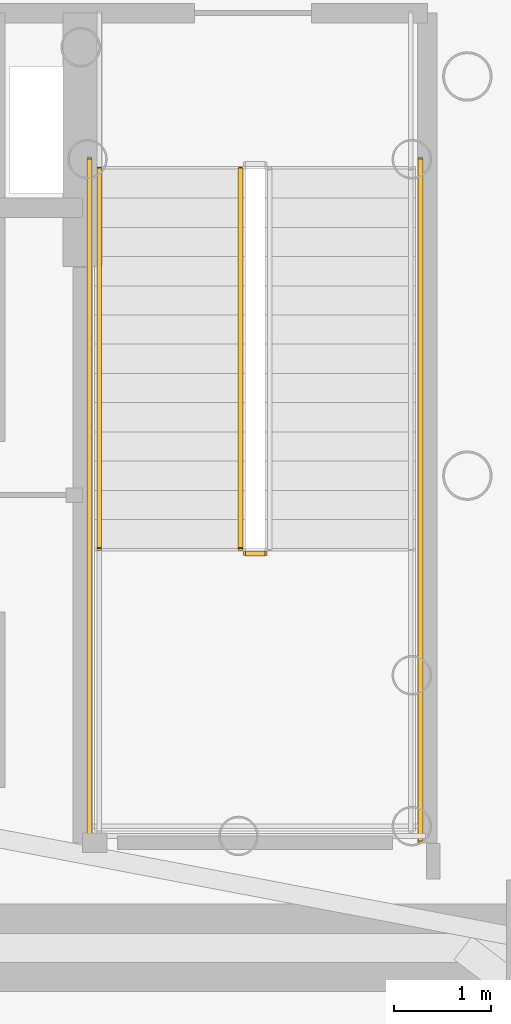
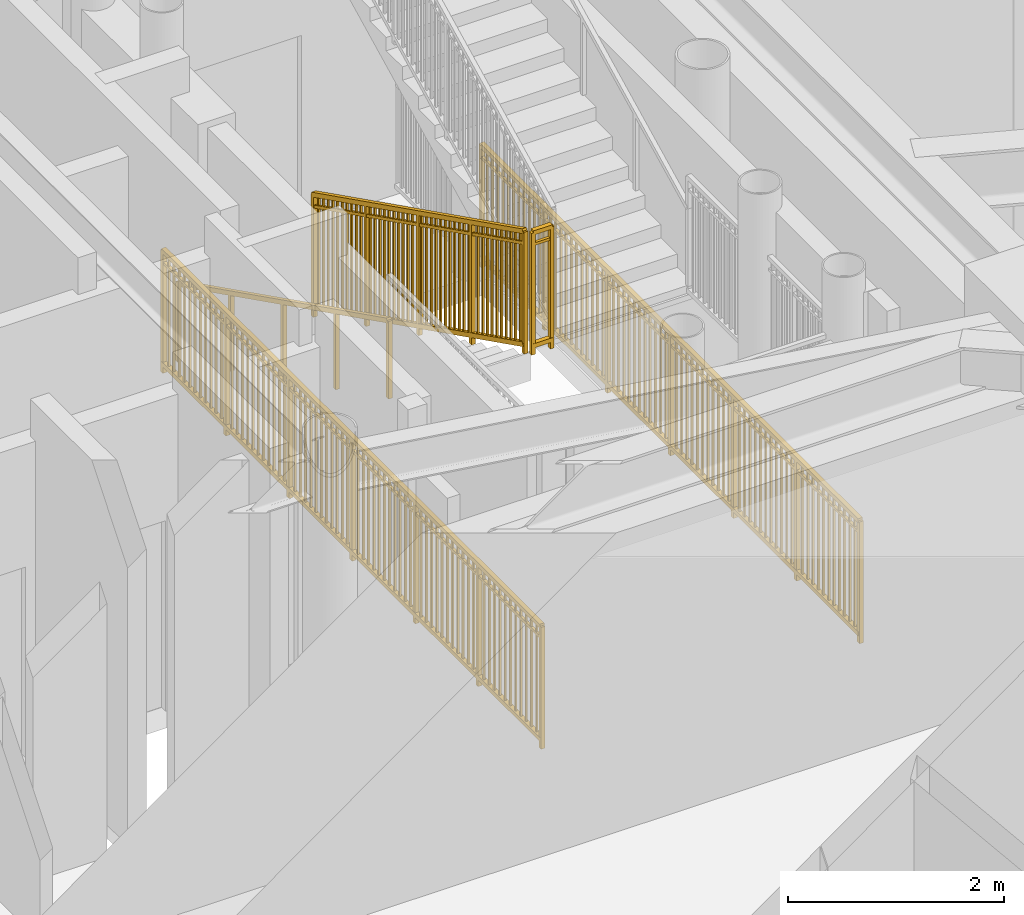
# One storey, part 19 of 21: 5 railings.
"""IFC4 building model written with IfcOpenShell, lengths in metres."""

import ifcopenshell
import ifcopenshell.guid

model = None  # the IFC model being written
_history = None  # IfcOwnerHistory: only IFC2X3 demands one
_inside = {}  # id of a spatial element -> (the spatial element, [elements in it])
_under = {}  # id of a project, library or spatial element -> (it, [spatial elements below it])
_declared = {}  # id of a project -> (the project, [libraries it declares])
_typed = {}  # id of a type object -> (the type object, [elements of that type])
_made_of = {}  # id of a material, layer set ... -> (it, [elements and type objects made of it])


def new_model(schema):
    """Start an empty IFC model of exactly this schema.

    Asked for "IFC4X3", IfcOpenShell would pick the latest addendum, in which some entities
    have other attributes; the version numbers below select the first issue.
    IFC2X3 requires an IfcOwnerHistory on every rooted entity: one is made here for all.
    """
    global model, _history
    if schema == "IFC4X3":
        model = ifcopenshell.file(schema_version=(4, 3, 0, 0))
    else:
        model = ifcopenshell.file(schema=schema)
    _inside.clear()
    _under.clear()
    _declared.clear()
    _typed.clear()
    _made_of.clear()
    _history = None
    if model.schema == "IFC2X3":
        org = make("IfcOrganization", Name="unknown")
        user = make(
            "IfcPersonAndOrganization",
            ThePerson=make("IfcPerson", FamilyName="unknown"),
            TheOrganization=org,
        )
        app = make(
            "IfcApplication",
            ApplicationDeveloper=org,
            Version="unknown",
            ApplicationFullName="unknown",
            ApplicationIdentifier="unknown",
        )
        _history = make(
            "IfcOwnerHistory",
            OwningUser=user,
            OwningApplication=app,
            ChangeAction="ADDED",
            CreationDate=0,
        )
    return model


def make(cls, **values):
    """One entity of the class cls with the attributes given. An attribute that is None is left unset."""
    return model.create_entity(
        cls, **{name: value for name, value in values.items() if value is not None}
    )


def rooted(cls, **values):
    """An entity with a GlobalId (a new one), such as an element, a storey or a relation."""
    return make(cls, GlobalId=ifcopenshell.guid.new(), OwnerHistory=_history, **values)


def si_unit(unit_type, name, prefix=None):
    """IfcSIUnit, for example si_unit("LENGTHUNIT", "METRE", prefix="MILLI")."""
    return make("IfcSIUnit", UnitType=unit_type, Prefix=prefix, Name=name)


def assignment(units):
    """IfcUnitAssignment: the units of a project."""
    return None if units is None else make("IfcUnitAssignment", Units=units)


def point(xyz):
    """IfcCartesianPoint."""
    return None if xyz is None else make("IfcCartesianPoint", Coordinates=xyz)


def direction(xyz):
    """IfcDirection."""
    return None if xyz is None else make("IfcDirection", DirectionRatios=xyz)


def frame(location, z_axis=None, x_axis=None):
    """IfcAxis2Placement3D, a coordinate frame: its origin and axes. An axis left out is left unset."""
    return make(
        "IfcAxis2Placement3D",
        Location=point(location),
        Axis=direction(z_axis),
        RefDirection=direction(x_axis),
    )


def frame_2d(location, x_axis=None):
    """IfcAxis2Placement2D, a coordinate frame in the plane: its origin and x axis."""
    return make(
        "IfcAxis2Placement2D", Location=point(location), RefDirection=direction(x_axis)
    )


def origin():
    """The frame at (0, 0, 0) with its axes left unset."""
    return frame((0.0, 0.0, 0.0))


def origin_2d():
    """The frame at (0, 0) in the plane with its x axis left unset."""
    return frame_2d((0.0, 0.0))


def place(relative_to, where):
    """IfcLocalPlacement: puts the frame where relative to a parent placement (None: the world)."""
    return make(
        "IfcLocalPlacement", PlacementRelTo=relative_to, RelativePlacement=where
    )


def context(
    kind, dimensions, precision=None, world=None, true_north=None, identifier=None
):
    """IfcGeometricRepresentationContext, for example the 3D "Model" context."""
    return make(
        "IfcGeometricRepresentationContext",
        ContextIdentifier=identifier,
        ContextType=kind,
        CoordinateSpaceDimension=dimensions,
        Precision=precision,
        WorldCoordinateSystem=world,
        TrueNorth=true_north,
    )


def subcontext(parent, identifier, kind, view, scale=None):
    """IfcGeometricRepresentationSubContext, for example "Body" below "Model"."""
    return make(
        "IfcGeometricRepresentationSubContext",
        ContextIdentifier=identifier,
        ContextType=kind,
        ParentContext=parent,
        TargetScale=scale,
        TargetView=view,
    )


def project(units=None, contexts=None):
    """IfcProject with its units and contexts."""
    return rooted(
        "IfcProject",
        Name="project",
        RepresentationContexts=contexts,
        UnitsInContext=assignment(units),
    )


def spatial(cls, under=None, at=None, **own):
    """A site, building, storey or space (cls), placed at a placement, below another one or the project."""
    s = rooted(cls, ObjectPlacement=at, **own)
    if under is not None:
        _under.setdefault(under.id(), (under, []))[1].append(s)
    return s


def profile(cls, at=None, kind="AREA", **sizes):
    """A parametric profile (cls). Its sizes go by their IFC names, for example OverallWidth=200.0."""
    return make(cls, ProfileType=kind, Position=at, **sizes)


def rectangle(**sizes):
    """IfcRectangleProfileDef."""
    return profile("IfcRectangleProfileDef", **sizes)


def extrude(swept, where, along, depth):
    """IfcExtrudedAreaSolid: the profile swept, set in the frame where, extruded along a direction by depth."""
    return make(
        "IfcExtrudedAreaSolid",
        SweptArea=swept,
        Position=where,
        ExtrudedDirection=direction(along),
        Depth=depth,
    )


def shape(context_of_items, identifier, shape_type, items):
    """IfcShapeRepresentation: the items that make up one representation, for example the "Body"."""
    return make(
        "IfcShapeRepresentation",
        ContextOfItems=context_of_items,
        RepresentationIdentifier=identifier,
        RepresentationType=shape_type,
        Items=items,
    )


def source(mapping_origin, context_of_items, identifier, shape_type, items):
    """IfcRepresentationMap: a shape defined once, which mapped items show again and again."""
    return make(
        "IfcRepresentationMap",
        MappingOrigin=mapping_origin,
        MappedRepresentation=shape(context_of_items, identifier, shape_type, items),
    )


def transform(
    local_origin,
    x_axis=None,
    y_axis=None,
    z_axis=None,
    scale=None,
    scale2=None,
    scale3=None,
    uniform=True,
):
    """IfcCartesianTransformationOperator3D, or its non-uniform kind. x_axis, y_axis, z_axis: its Axis1, 2, 3."""
    if uniform:
        return make(
            "IfcCartesianTransformationOperator3D",
            Axis1=direction(x_axis),
            Axis2=direction(y_axis),
            LocalOrigin=point(local_origin),
            Scale=scale,
            Axis3=direction(z_axis),
        )
    return make(
        "IfcCartesianTransformationOperator3DnonUniform",
        Axis1=direction(x_axis),
        Axis2=direction(y_axis),
        LocalOrigin=point(local_origin),
        Scale=scale,
        Axis3=direction(z_axis),
        Scale2=scale2,
        Scale3=scale3,
    )


def mapped(mapping_source, mapping_target):
    """IfcMappedItem: shows the shape of a source again, moved by a transform."""
    return make(
        "IfcMappedItem", MappingSource=mapping_source, MappingTarget=mapping_target
    )


def material(Name=None, Category=None):
    """IfcMaterial."""
    return make("IfcMaterial", Name=Name, Category=Category)


def made_of(thing, what):
    """Note that an element or type object is made of a material, layer set ...; save() writes the relation."""
    if what is not None:
        _made_of.setdefault(what.id(), (what, []))[1].append(thing)
    return thing


def type_object(cls, material=None, **own):
    """A type object (cls), such as IfcWallType, which elements share."""
    return made_of(rooted(cls, **own), material)


def element(
    cls,
    number,
    at=None,
    inside=None,
    cuts=None,
    type_object=None,
    material=None,
    context=None,
    identifier="Body",
    shape_type=None,
    held_by="IfcProductDefinitionShape",
    body=None,
    shapes=None,
    **own,
):
    """One element of the class cls, such as IfcWall. Its Tag is "e" and its number.

    at: its placement. inside: the storey or other place that contains it. cuts: it is an
    opening in that element (IfcRelVoidsElement). A single representation is given by context,
    identifier, shape_type and body (its items); several are given by shapes. held_by: the class
    of the entity that holds the representations. save() writes the other relations.
    """
    e = rooted(cls, Tag="e%d" % number, ObjectPlacement=at, **own)
    if body is not None:
        shapes = [shape(context, identifier, shape_type, body)]
    if shapes is not None:
        e.Representation = make(held_by, Representations=shapes)
    if inside is not None:
        _inside.setdefault(inside.id(), (inside, []))[1].append(e)
    if cuts is not None:
        rooted(
            "IfcRelVoidsElement", RelatingBuildingElement=cuts, RelatedOpeningElement=e
        )
    if type_object is not None:
        _typed.setdefault(type_object.id(), (type_object, []))[1].append(e)
    return made_of(e, material)


def aggregate(whole, parts):
    """IfcRelAggregates: a whole, such as a stair, and the parts it consists of."""
    return rooted("IfcRelAggregates", RelatingObject=whole, RelatedObjects=parts)


def save(model, path):
    """Write the relations noted so far, then the file.

    IfcRelAggregates (storeys below a building ...), IfcRelContainedInSpatialStructure (elements
    in a storey), IfcRelDefinesByType, IfcRelAssociatesMaterial and IfcRelDeclares: one each for
    every whole, place, type object, material and project.
    """
    for whole, parts in _under.values():
        aggregate(whole, parts)
    for where, things in _inside.values():
        rooted(
            "IfcRelContainedInSpatialStructure",
            RelatedElements=things,
            RelatingStructure=where,
        )
    for kind, things in _typed.values():
        rooted("IfcRelDefinesByType", RelatedObjects=things, RelatingType=kind)
    for what, things in _made_of.values():
        rooted("IfcRelAssociatesMaterial", RelatedObjects=things, RelatingMaterial=what)
    for by, libraries in _declared.values():
        rooted("IfcRelDeclares", RelatingContext=by, RelatedDefinitions=libraries)
    model.write(path)


model = new_model("IFC4")

# Units and contexts
model_context = context("Model", 3, precision=1e-05, world=origin(), true_north=direction((0.0, 1.0)))
body_context = subcontext(model_context, "Body", "Model", "MODEL_VIEW")
ifc_project = project(units=[si_unit("LENGTHUNIT", "METRE"), si_unit("AREAUNIT", "SQUARE_METRE"), si_unit("VOLUMEUNIT", "CUBIC_METRE"), si_unit("PLANEANGLEUNIT", "RADIAN"), si_unit("MASSUNIT", "GRAM", prefix="KILO")], contexts=[model_context])

# Site, building, storey
site_placement = place(None, origin())
site = spatial("IfcSite", under=ifc_project, at=site_placement, CompositionType="ELEMENT")
building_placement = place(site_placement, origin())
building = spatial("IfcBuilding", under=site, at=building_placement, Name="Linh Dai School and Residence Tower", CompositionType="ELEMENT")
storey_placement = place(building_placement, frame((0.0, 0.0, 78.60009765625)))
storey = spatial("IfcBuildingStorey", under=building, at=storey_placement, Name="L18", CompositionType="ELEMENT", Elevation=78.60009765625)

# Railings
ifc_material_1 = material(Name="Structural Steel S355JR", Category="steel")
railing_type_1 = type_object("IfcRailingType", Name="RL-ST-GUARD-1400", PredefinedType="GUARDRAIL", material=ifc_material_1)
shared_shape_1 = source(origin(), body_context, "Body", "SweptSolid", [
    extrude(rectangle(XDim=0.048095703125, YDim=0.048095703125, at=origin_2d()), frame((0.0, 0.0, 1.3759765625), z_axis=(1.0, 0.0, 0.0), x_axis=(0.0, 1.0, 0.0)), (0.0, 0.0, 1.0), 0.199951171875),
    extrude(rectangle(XDim=0.048095703125, YDim=0.048095703125, at=origin_2d()), frame((0.0, 0.0, 0.10009765625), z_axis=(1.0, 0.0, 0.0), x_axis=(0.0, 1.0, 0.0)), (0.0, 0.0, 1.0), 0.199951171875),
    extrude(rectangle(XDim=0.030029296875, YDim=0.030029296875, at=origin_2d()), frame((0.0, 0.0, 1.239990234375), z_axis=(1.0, 0.0, 0.0), x_axis=(0.0, 1.0, 0.0)), (0.0, 0.0, 1.0), 0.199951171875),
    extrude(rectangle(XDim=0.0419921875, YDim=0.0419921875, at=origin_2d()), origin(), (0.0, 0.0, 1.0), 1.3759765625),
    extrude(rectangle(XDim=0.0419921875, YDim=0.0419921875, at=origin_2d()), frame((0.199951171875, 0.0, 0.0)), (0.0, 0.0, 1.0), 1.3759765625),
])
railing_1_placement = place(storey_placement, frame((42.570068359375, 24.300048828125, 2.099853515625)))
element("IfcRailing", 1, at=railing_1_placement, inside=storey, type_object=railing_type_1, Name="L18 ST2 stair guard 2", PredefinedType="GUARDRAIL", context=body_context, shape_type="MappedRepresentation", body=[
    mapped(shared_shape_1, transform((0.0, 0.0, 0.0), x_axis=(1.0, 0.0, 0.0), y_axis=(0.0, 1.0, 0.0), z_axis=(0.0, 0.0, 1.0), scale=1.0)),
])
shared_shape_2 = source(origin(), body_context, "Body", "SweptSolid", [
    extrude(rectangle(XDim=0.048095703125, YDim=0.048095703125, at=origin_2d()), frame((0.0, 0.0, 1.3759765625), z_axis=(0.0, -1.0, 0.0), x_axis=(1.0, 0.0, 0.0)), (0.0, 0.0, 1.0), 7.0),
    extrude(rectangle(XDim=0.048095703125, YDim=0.048095703125, at=origin_2d()), frame((0.0, 0.0, 0.10009765625), z_axis=(0.0, -1.0, 0.0), x_axis=(1.0, 0.0, 0.0)), (0.0, 0.0, 1.0), 7.0),
    extrude(rectangle(XDim=0.030029296875, YDim=0.030029296875, at=origin_2d()), frame((0.0, 0.0, 1.239990234375), z_axis=(0.0, -1.0, 0.0), x_axis=(1.0, 0.0, 0.0)), (0.0, 0.0, 1.0), 7.0),
    extrude(rectangle(XDim=0.02001953125, YDim=0.02001953125, at=origin_2d()), frame((0.0, -0.09716796875, 0.10009765625)), (0.0, 0.0, 1.0), 1.251708984375),
    extrude(rectangle(XDim=0.02001953125, YDim=0.02001953125, at=origin_2d()), frame((0.0, -0.1943359375, 0.10009765625)), (0.0, 0.0, 1.0), 1.251708984375),
    extrude(rectangle(XDim=0.02001953125, YDim=0.02001953125, at=origin_2d()), frame((0.0, -0.291748046875, 0.10009765625)), (0.0, 0.0, 1.0), 1.251708984375),
    extrude(rectangle(XDim=0.02001953125, YDim=0.02001953125, at=origin_2d()), frame((0.0, -0.388916015625, 0.10009765625)), (0.0, 0.0, 1.0), 1.251708984375),
    extrude(rectangle(XDim=0.02001953125, YDim=0.02001953125, at=origin_2d()), frame((0.0, -0.486083984375, 0.10009765625)), (0.0, 0.0, 1.0), 1.251708984375),
    extrude(rectangle(XDim=0.02001953125, YDim=0.02001953125, at=origin_2d()), frame((0.0, -0.583251953125, 0.10009765625)), (0.0, 0.0, 1.0), 1.251708984375),
    extrude(rectangle(XDim=0.02001953125, YDim=0.02001953125, at=origin_2d()), frame((0.0, -0.6806640625, 0.10009765625)), (0.0, 0.0, 1.0), 1.251708984375),
    extrude(rectangle(XDim=0.02001953125, YDim=0.02001953125, at=origin_2d()), frame((0.0, -0.77783203125, 0.10009765625)), (0.0, 0.0, 1.0), 1.251708984375),
    extrude(rectangle(XDim=0.02001953125, YDim=0.02001953125, at=origin_2d()), frame((0.0, -0.875, 0.10009765625)), (0.0, 0.0, 1.0), 1.251708984375),
    extrude(rectangle(XDim=0.02001953125, YDim=0.02001953125, at=origin_2d()), frame((0.0, -0.97216796875, 0.10009765625)), (0.0, 0.0, 1.0), 1.251708984375),
    extrude(rectangle(XDim=0.02001953125, YDim=0.02001953125, at=origin_2d()), frame((0.0, -1.0693359375, 0.10009765625)), (0.0, 0.0, 1.0), 1.251708984375),
    extrude(rectangle(XDim=0.02001953125, YDim=0.02001953125, at=origin_2d()), frame((0.0, -1.263916015625, 0.10009765625)), (0.0, 0.0, 1.0), 1.251708984375),
    extrude(rectangle(XDim=0.02001953125, YDim=0.02001953125, at=origin_2d()), frame((0.0, -1.361083984375, 0.10009765625)), (0.0, 0.0, 1.0), 1.251708984375),
    extrude(rectangle(XDim=0.02001953125, YDim=0.02001953125, at=origin_2d()), frame((0.0, -1.458251953125, 0.10009765625)), (0.0, 0.0, 1.0), 1.251708984375),
    extrude(rectangle(XDim=0.02001953125, YDim=0.02001953125, at=origin_2d()), frame((0.0, -1.5556640625, 0.10009765625)), (0.0, 0.0, 1.0), 1.251708984375),
    extrude(rectangle(XDim=0.02001953125, YDim=0.02001953125, at=origin_2d()), frame((0.0, -1.65283203125, 0.10009765625)), (0.0, 0.0, 1.0), 1.251708984375),
    extrude(rectangle(XDim=0.02001953125, YDim=0.02001953125, at=origin_2d()), frame((0.0, -1.75, 0.10009765625)), (0.0, 0.0, 1.0), 1.251708984375),
    extrude(rectangle(XDim=0.02001953125, YDim=0.02001953125, at=origin_2d()), frame((0.0, -1.84716796875, 0.10009765625)), (0.0, 0.0, 1.0), 1.251708984375),
    extrude(rectangle(XDim=0.02001953125, YDim=0.02001953125, at=origin_2d()), frame((0.0, -1.9443359375, 0.10009765625)), (0.0, 0.0, 1.0), 1.251708984375),
    extrude(rectangle(XDim=0.02001953125, YDim=0.02001953125, at=origin_2d()), frame((0.0, -2.041748046875, 0.10009765625)), (0.0, 0.0, 1.0), 1.251708984375),
    extrude(rectangle(XDim=0.02001953125, YDim=0.02001953125, at=origin_2d()), frame((0.0, -2.138916015625, 0.10009765625)), (0.0, 0.0, 1.0), 1.251708984375),
    extrude(rectangle(XDim=0.02001953125, YDim=0.02001953125, at=origin_2d()), frame((0.0, -2.236083984375, 0.10009765625)), (0.0, 0.0, 1.0), 1.251708984375),
    extrude(rectangle(XDim=0.02001953125, YDim=0.02001953125, at=origin_2d()), frame((0.0, -2.4306640625, 0.10009765625)), (0.0, 0.0, 1.0), 1.251708984375),
    extrude(rectangle(XDim=0.02001953125, YDim=0.02001953125, at=origin_2d()), frame((0.0, -2.52783203125, 0.10009765625)), (0.0, 0.0, 1.0), 1.251708984375),
    extrude(rectangle(XDim=0.02001953125, YDim=0.02001953125, at=origin_2d()), frame((0.0, -2.625, 0.10009765625)), (0.0, 0.0, 1.0), 1.251708984375),
    extrude(rectangle(XDim=0.02001953125, YDim=0.02001953125, at=origin_2d()), frame((0.0, -2.72216796875, 0.10009765625)), (0.0, 0.0, 1.0), 1.251708984375),
    extrude(rectangle(XDim=0.02001953125, YDim=0.02001953125, at=origin_2d()), frame((0.0, -2.8193359375, 0.10009765625)), (0.0, 0.0, 1.0), 1.251708984375),
    extrude(rectangle(XDim=0.02001953125, YDim=0.02001953125, at=origin_2d()), frame((0.0, -2.916748046875, 0.10009765625)), (0.0, 0.0, 1.0), 1.251708984375),
    extrude(rectangle(XDim=0.02001953125, YDim=0.02001953125, at=origin_2d()), frame((0.0, -3.013916015625, 0.10009765625)), (0.0, 0.0, 1.0), 1.251708984375),
    extrude(rectangle(XDim=0.02001953125, YDim=0.02001953125, at=origin_2d()), frame((0.0, -3.111083984375, 0.10009765625)), (0.0, 0.0, 1.0), 1.251708984375),
    extrude(rectangle(XDim=0.02001953125, YDim=0.02001953125, at=origin_2d()), frame((0.0, -3.208251953125, 0.10009765625)), (0.0, 0.0, 1.0), 1.251708984375),
    extrude(rectangle(XDim=0.02001953125, YDim=0.02001953125, at=origin_2d()), frame((0.0, -3.3056640625, 0.10009765625)), (0.0, 0.0, 1.0), 1.251708984375),
    extrude(rectangle(XDim=0.02001953125, YDim=0.02001953125, at=origin_2d()), frame((0.0, -3.40283203125, 0.10009765625)), (0.0, 0.0, 1.0), 1.251708984375),
    extrude(rectangle(XDim=0.02001953125, YDim=0.02001953125, at=origin_2d()), frame((0.0, -3.59716796875, 0.10009765625)), (0.0, 0.0, 1.0), 1.251708984375),
    extrude(rectangle(XDim=0.02001953125, YDim=0.02001953125, at=origin_2d()), frame((0.0, -3.6943359375, 0.10009765625)), (0.0, 0.0, 1.0), 1.251708984375),
    extrude(rectangle(XDim=0.02001953125, YDim=0.02001953125, at=origin_2d()), frame((0.0, -3.791748046875, 0.10009765625)), (0.0, 0.0, 1.0), 1.251708984375),
    extrude(rectangle(XDim=0.02001953125, YDim=0.02001953125, at=origin_2d()), frame((0.0, -3.888916015625, 0.10009765625)), (0.0, 0.0, 1.0), 1.251708984375),
    extrude(rectangle(XDim=0.02001953125, YDim=0.02001953125, at=origin_2d()), frame((0.0, -3.986083984375, 0.10009765625)), (0.0, 0.0, 1.0), 1.251708984375),
    extrude(rectangle(XDim=0.02001953125, YDim=0.02001953125, at=origin_2d()), frame((0.0, -4.083251953125, 0.10009765625)), (0.0, 0.0, 1.0), 1.251708984375),
    extrude(rectangle(XDim=0.02001953125, YDim=0.02001953125, at=origin_2d()), frame((0.0, -4.1806640625, 0.10009765625)), (0.0, 0.0, 1.0), 1.251708984375),
    extrude(rectangle(XDim=0.02001953125, YDim=0.02001953125, at=origin_2d()), frame((0.0, -4.27783203125, 0.10009765625)), (0.0, 0.0, 1.0), 1.251708984375),
    extrude(rectangle(XDim=0.02001953125, YDim=0.02001953125, at=origin_2d()), frame((0.0, -4.375, 0.10009765625)), (0.0, 0.0, 1.0), 1.251708984375),
    extrude(rectangle(XDim=0.02001953125, YDim=0.02001953125, at=origin_2d()), frame((0.0, -4.47216796875, 0.10009765625)), (0.0, 0.0, 1.0), 1.251708984375),
    extrude(rectangle(XDim=0.02001953125, YDim=0.02001953125, at=origin_2d()), frame((0.0, -4.5693359375, 0.10009765625)), (0.0, 0.0, 1.0), 1.251708984375),
    extrude(rectangle(XDim=0.02001953125, YDim=0.02001953125, at=origin_2d()), frame((0.0, -4.763916015625, 0.10009765625)), (0.0, 0.0, 1.0), 1.251708984375),
    extrude(rectangle(XDim=0.02001953125, YDim=0.02001953125, at=origin_2d()), frame((0.0, -4.861083984375, 0.10009765625)), (0.0, 0.0, 1.0), 1.251708984375),
    extrude(rectangle(XDim=0.02001953125, YDim=0.02001953125, at=origin_2d()), frame((0.0, -4.958251953125, 0.10009765625)), (0.0, 0.0, 1.0), 1.251708984375),
    extrude(rectangle(XDim=0.02001953125, YDim=0.02001953125, at=origin_2d()), frame((0.0, -5.0556640625, 0.10009765625)), (0.0, 0.0, 1.0), 1.251708984375),
    extrude(rectangle(XDim=0.02001953125, YDim=0.02001953125, at=origin_2d()), frame((0.0, -5.15283203125, 0.10009765625)), (0.0, 0.0, 1.0), 1.251708984375),
    extrude(rectangle(XDim=0.02001953125, YDim=0.02001953125, at=origin_2d()), frame((0.0, -5.25, 0.10009765625)), (0.0, 0.0, 1.0), 1.251708984375),
    extrude(rectangle(XDim=0.02001953125, YDim=0.02001953125, at=origin_2d()), frame((0.0, -5.34716796875, 0.10009765625)), (0.0, 0.0, 1.0), 1.251708984375),
    extrude(rectangle(XDim=0.02001953125, YDim=0.02001953125, at=origin_2d()), frame((0.0, -5.4443359375, 0.10009765625)), (0.0, 0.0, 1.0), 1.251708984375),
    extrude(rectangle(XDim=0.02001953125, YDim=0.02001953125, at=origin_2d()), frame((0.0, -5.541748046875, 0.10009765625)), (0.0, 0.0, 1.0), 1.251708984375),
    extrude(rectangle(XDim=0.02001953125, YDim=0.02001953125, at=origin_2d()), frame((0.0, -5.638916015625, 0.10009765625)), (0.0, 0.0, 1.0), 1.251708984375),
    extrude(rectangle(XDim=0.02001953125, YDim=0.02001953125, at=origin_2d()), frame((0.0, -5.736083984375, 0.10009765625)), (0.0, 0.0, 1.0), 1.251708984375),
    extrude(rectangle(XDim=0.02001953125, YDim=0.02001953125, at=origin_2d()), frame((0.0, -5.9306640625, 0.10009765625)), (0.0, 0.0, 1.0), 1.251708984375),
    extrude(rectangle(XDim=0.02001953125, YDim=0.02001953125, at=origin_2d()), frame((0.0, -6.02783203125, 0.10009765625)), (0.0, 0.0, 1.0), 1.251708984375),
    extrude(rectangle(XDim=0.02001953125, YDim=0.02001953125, at=origin_2d()), frame((0.0, -6.125, 0.10009765625)), (0.0, 0.0, 1.0), 1.251708984375),
    extrude(rectangle(XDim=0.02001953125, YDim=0.02001953125, at=origin_2d()), frame((0.0, -6.22216796875, 0.10009765625)), (0.0, 0.0, 1.0), 1.251708984375),
    extrude(rectangle(XDim=0.02001953125, YDim=0.02001953125, at=origin_2d()), frame((0.0, -6.3193359375, 0.10009765625)), (0.0, 0.0, 1.0), 1.251708984375),
    extrude(rectangle(XDim=0.02001953125, YDim=0.02001953125, at=origin_2d()), frame((0.0, -6.416748046875, 0.10009765625)), (0.0, 0.0, 1.0), 1.251708984375),
    extrude(rectangle(XDim=0.02001953125, YDim=0.02001953125, at=origin_2d()), frame((0.0, -6.513916015625, 0.10009765625)), (0.0, 0.0, 1.0), 1.251708984375),
    extrude(rectangle(XDim=0.02001953125, YDim=0.02001953125, at=origin_2d()), frame((0.0, -6.611083984375, 0.10009765625)), (0.0, 0.0, 1.0), 1.251708984375),
    extrude(rectangle(XDim=0.02001953125, YDim=0.02001953125, at=origin_2d()), frame((0.0, -6.708251953125, 0.10009765625)), (0.0, 0.0, 1.0), 1.251708984375),
    extrude(rectangle(XDim=0.02001953125, YDim=0.02001953125, at=origin_2d()), frame((0.0, -6.8056640625, 0.10009765625)), (0.0, 0.0, 1.0), 1.251708984375),
    extrude(rectangle(XDim=0.02001953125, YDim=0.02001953125, at=origin_2d()), frame((0.0, -6.90283203125, 0.10009765625)), (0.0, 0.0, 1.0), 1.251708984375),
    extrude(rectangle(XDim=0.0419921875, YDim=0.0419921875, at=origin_2d()), origin(), (0.0, 0.0, 1.0), 1.3759765625),
    extrude(rectangle(XDim=0.0419921875, YDim=0.0419921875, at=origin_2d()), frame((0.0, -1.166748046875, 0.0)), (0.0, 0.0, 1.0), 1.3759765625),
    extrude(rectangle(XDim=0.0419921875, YDim=0.0419921875, at=origin_2d()), frame((0.0, -2.333251953125, 0.0)), (0.0, 0.0, 1.0), 1.3759765625),
    extrude(rectangle(XDim=0.0419921875, YDim=0.0419921875, at=origin_2d()), frame((0.0, -3.5, 0.0)), (0.0, 0.0, 1.0), 1.3759765625),
    extrude(rectangle(XDim=0.0419921875, YDim=0.0419921875, at=origin_2d()), frame((0.0, -4.666748046875, 0.0)), (0.0, 0.0, 1.0), 1.3759765625),
    extrude(rectangle(XDim=0.0419921875, YDim=0.0419921875, at=origin_2d()), frame((0.0, -5.833251953125, 0.0)), (0.0, 0.0, 1.0), 1.3759765625),
    extrude(rectangle(XDim=0.0419921875, YDim=0.0419921875, at=origin_2d()), frame((0.0, -7.0, 0.0)), (0.0, 0.0, 1.0), 1.3759765625),
])
for number, where, name in (
    (2, (40.969970703125, 28.35009765625, 0.0), "L18 ST2 stair guard 10"),
    (3, (44.3701171875, 28.35009765625, 0.0), "L18 ST2 stair guard 11"),
):
    element("IfcRailing", number, at=place(storey_placement, frame(where)), inside=storey, type_object=railing_type_1, Name=name, PredefinedType="GUARDRAIL", context=body_context, shape_type="MappedRepresentation", body=[
        mapped(shared_shape_2, transform((0.0, 0.0, 0.0), x_axis=(1.0, 0.0, 0.0), y_axis=(0.0, 1.0, 0.0), z_axis=(0.0, 0.0, 1.0), scale=1.0)),
    ])
shared_shape_3 = source(origin(), body_context, "Body", "SweptSolid", [
    extrude(rectangle(XDim=0.048095703125, YDim=0.048095703125, at=origin_2d()), frame((0.0, 0.0, 1.3759765625), z_axis=(0.0, -0.894427191, 0.4472135955), x_axis=(1.0, 0.0, 0.0)), (0.0, 0.0, 1.0), 4.360107421875),
    extrude(rectangle(XDim=0.048095703125, YDim=0.048095703125, at=origin_2d()), frame((0.0, 0.0, 0.10009765625), z_axis=(0.0, -0.894427191, 0.4472135955), x_axis=(1.0, 0.0, 0.0)), (0.0, 0.0, 1.0), 4.360107421875),
    extrude(rectangle(XDim=0.030029296875, YDim=0.030029296875, at=origin_2d()), frame((0.0, 0.0, 1.239990234375), z_axis=(0.0, -0.894427191, 0.4472135955), x_axis=(1.0, 0.0, 0.0)), (0.0, 0.0, 1.0), 4.360107421875),
    extrude(rectangle(XDim=0.02001953125, YDim=0.02001953125, at=origin_2d()), frame((0.0, -0.086669921875, 0.143310546875)), (0.0, 0.0, 1.0), 1.251708984375),
    extrude(rectangle(XDim=0.02001953125, YDim=0.02001953125, at=origin_2d()), frame((0.0, -0.17333984375, 0.186767578125)), (0.0, 0.0, 1.0), 1.251708984375),
    extrude(rectangle(XDim=0.02001953125, YDim=0.02001953125, at=origin_2d()), frame((0.0, -0.260009765625, 0.22998046875)), (0.0, 0.0, 1.0), 1.251708984375),
    extrude(rectangle(XDim=0.02001953125, YDim=0.02001953125, at=origin_2d()), frame((0.0, -0.3466796875, 0.2734375)), (0.0, 0.0, 1.0), 1.251708984375),
    extrude(rectangle(XDim=0.02001953125, YDim=0.02001953125, at=origin_2d()), frame((0.0, -0.433349609375, 0.316650390625)), (0.0, 0.0, 1.0), 1.251708984375),
    extrude(rectangle(XDim=0.02001953125, YDim=0.02001953125, at=origin_2d()), frame((0.0, -0.52001953125, 0.360107421875)), (0.0, 0.0, 1.0), 1.251708984375),
    extrude(rectangle(XDim=0.02001953125, YDim=0.02001953125, at=origin_2d()), frame((0.0, -0.606689453125, 0.4033203125)), (0.0, 0.0, 1.0), 1.251708984375),
    extrude(rectangle(XDim=0.02001953125, YDim=0.02001953125, at=origin_2d()), frame((0.0, -0.693359375, 0.44677734375)), (0.0, 0.0, 1.0), 1.251708984375),
    extrude(rectangle(XDim=0.02001953125, YDim=0.02001953125, at=origin_2d()), frame((0.0, -0.780029296875, 0.489990234375)), (0.0, 0.0, 1.0), 1.251708984375),
    extrude(rectangle(XDim=0.02001953125, YDim=0.02001953125, at=origin_2d()), frame((0.0, -0.86669921875, 0.533447265625)), (0.0, 0.0, 1.0), 1.251708984375),
    extrude(rectangle(XDim=0.02001953125, YDim=0.02001953125, at=origin_2d()), frame((0.0, -1.0400390625, 0.6201171875)), (0.0, 0.0, 1.0), 1.251708984375),
    extrude(rectangle(XDim=0.02001953125, YDim=0.02001953125, at=origin_2d()), frame((0.0, -1.126708984375, 0.663330078125)), (0.0, 0.0, 1.0), 1.251708984375),
    extrude(rectangle(XDim=0.02001953125, YDim=0.02001953125, at=origin_2d()), frame((0.0, -1.21337890625, 0.706787109375)), (0.0, 0.0, 1.0), 1.251708984375),
    extrude(rectangle(XDim=0.02001953125, YDim=0.02001953125, at=origin_2d()), frame((0.0, -1.300048828125, 0.75)), (0.0, 0.0, 1.0), 1.251708984375),
    extrude(rectangle(XDim=0.02001953125, YDim=0.02001953125, at=origin_2d()), frame((0.0, -1.38671875, 0.79345703125)), (0.0, 0.0, 1.0), 1.251708984375),
    extrude(rectangle(XDim=0.02001953125, YDim=0.02001953125, at=origin_2d()), frame((0.0, -1.473388671875, 0.836669921875)), (0.0, 0.0, 1.0), 1.251708984375),
    extrude(rectangle(XDim=0.02001953125, YDim=0.02001953125, at=origin_2d()), frame((0.0, -1.56005859375, 0.880126953125)), (0.0, 0.0, 1.0), 1.251708984375),
    extrude(rectangle(XDim=0.02001953125, YDim=0.02001953125, at=origin_2d()), frame((0.0, -1.646728515625, 0.92333984375)), (0.0, 0.0, 1.0), 1.251708984375),
    extrude(rectangle(XDim=0.02001953125, YDim=0.02001953125, at=origin_2d()), frame((0.0, -1.7333984375, 0.966796875)), (0.0, 0.0, 1.0), 1.251708984375),
    extrude(rectangle(XDim=0.02001953125, YDim=0.02001953125, at=origin_2d()), frame((0.0, -1.820068359375, 1.010009765625)), (0.0, 0.0, 1.0), 1.251708984375),
    extrude(rectangle(XDim=0.02001953125, YDim=0.02001953125, at=origin_2d()), frame((0.0, -1.90673828125, 1.053466796875)), (0.0, 0.0, 1.0), 1.251708984375),
    extrude(rectangle(XDim=0.02001953125, YDim=0.02001953125, at=origin_2d()), frame((0.0, -1.9931640625, 1.0966796875)), (0.0, 0.0, 1.0), 1.251708984375),
    extrude(rectangle(XDim=0.02001953125, YDim=0.02001953125, at=origin_2d()), frame((0.0, -2.079833984375, 1.14013671875)), (0.0, 0.0, 1.0), 1.251708984375),
    extrude(rectangle(XDim=0.02001953125, YDim=0.02001953125, at=origin_2d()), frame((0.0, -2.16650390625, 1.183349609375)), (0.0, 0.0, 1.0), 1.251708984375),
    extrude(rectangle(XDim=0.02001953125, YDim=0.02001953125, at=origin_2d()), frame((0.0, -2.253173828125, 1.226806640625)), (0.0, 0.0, 1.0), 1.251708984375),
    extrude(rectangle(XDim=0.02001953125, YDim=0.02001953125, at=origin_2d()), frame((0.0, -2.33984375, 1.27001953125)), (0.0, 0.0, 1.0), 1.251708984375),
    extrude(rectangle(XDim=0.02001953125, YDim=0.02001953125, at=origin_2d()), frame((0.0, -2.426513671875, 1.3134765625)), (0.0, 0.0, 1.0), 1.251708984375),
    extrude(rectangle(XDim=0.02001953125, YDim=0.02001953125, at=origin_2d()), frame((0.0, -2.51318359375, 1.356689453125)), (0.0, 0.0, 1.0), 1.251708984375),
    extrude(rectangle(XDim=0.02001953125, YDim=0.02001953125, at=origin_2d()), frame((0.0, -2.599853515625, 1.400146484375)), (0.0, 0.0, 1.0), 1.251708984375),
    extrude(rectangle(XDim=0.02001953125, YDim=0.02001953125, at=origin_2d()), frame((0.0, -2.6865234375, 1.443359375)), (0.0, 0.0, 1.0), 1.251708984375),
    extrude(rectangle(XDim=0.02001953125, YDim=0.02001953125, at=origin_2d()), frame((0.0, -2.773193359375, 1.48681640625)), (0.0, 0.0, 1.0), 1.251708984375),
    extrude(rectangle(XDim=0.02001953125, YDim=0.02001953125, at=origin_2d()), frame((0.0, -2.85986328125, 1.530029296875)), (0.0, 0.0, 1.0), 1.251708984375),
    extrude(rectangle(XDim=0.02001953125, YDim=0.02001953125, at=origin_2d()), frame((0.0, -3.033203125, 1.61669921875)), (0.0, 0.0, 1.0), 1.251708984375),
    extrude(rectangle(XDim=0.02001953125, YDim=0.02001953125, at=origin_2d()), frame((0.0, -3.119873046875, 1.66015625)), (0.0, 0.0, 1.0), 1.251708984375),
    extrude(rectangle(XDim=0.02001953125, YDim=0.02001953125, at=origin_2d()), frame((0.0, -3.20654296875, 1.703369140625)), (0.0, 0.0, 1.0), 1.251708984375),
    extrude(rectangle(XDim=0.02001953125, YDim=0.02001953125, at=origin_2d()), frame((0.0, -3.293212890625, 1.746826171875)), (0.0, 0.0, 1.0), 1.251708984375),
    extrude(rectangle(XDim=0.02001953125, YDim=0.02001953125, at=origin_2d()), frame((0.0, -3.3798828125, 1.7900390625)), (0.0, 0.0, 1.0), 1.251708984375),
    extrude(rectangle(XDim=0.02001953125, YDim=0.02001953125, at=origin_2d()), frame((0.0, -3.466552734375, 1.83349609375)), (0.0, 0.0, 1.0), 1.251708984375),
    extrude(rectangle(XDim=0.02001953125, YDim=0.02001953125, at=origin_2d()), frame((0.0, -3.55322265625, 1.876708984375)), (0.0, 0.0, 1.0), 1.251708984375),
    extrude(rectangle(XDim=0.02001953125, YDim=0.02001953125, at=origin_2d()), frame((0.0, -3.639892578125, 1.920166015625)), (0.0, 0.0, 1.0), 1.251708984375),
    extrude(rectangle(XDim=0.02001953125, YDim=0.02001953125, at=origin_2d()), frame((0.0, -3.7265625, 1.96337890625)), (0.0, 0.0, 1.0), 1.251708984375),
    extrude(rectangle(XDim=0.02001953125, YDim=0.02001953125, at=origin_2d()), frame((0.0, -3.813232421875, 2.0068359375)), (0.0, 0.0, 1.0), 1.251708984375),
    extrude(rectangle(XDim=0.0419921875, YDim=0.0419921875, at=origin_2d()), origin(), (0.0, 0.0, 1.0), 1.3759765625),
    extrude(rectangle(XDim=0.0419921875, YDim=0.0419921875, at=origin_2d()), frame((0.0, -0.97509765625, 0.487548828125)), (0.0, 0.0, 1.0), 1.3759765625),
    extrude(rectangle(XDim=0.0419921875, YDim=0.0419921875, at=origin_2d()), frame((0.0, -1.949951171875, 0.97509765625)), (0.0, 0.0, 1.0), 1.3759765625),
    extrude(rectangle(XDim=0.0419921875, YDim=0.0419921875, at=origin_2d()), frame((0.0, -2.9248046875, 1.46240234375)), (0.0, 0.0, 1.0), 1.3759765625),
    extrude(rectangle(XDim=0.0419921875, YDim=0.0419921875, at=origin_2d()), frame((0.0, -3.89990234375, 1.949951171875)), (0.0, 0.0, 1.0), 1.3759765625),
])
railing_2_placement = place(storey_placement, frame((42.52001953125, 28.25, 0.14990234375)))
element("IfcRailing", 4, at=railing_2_placement, inside=storey, type_object=railing_type_1, Name="L18 ST2 stair guard 1", PredefinedType="GUARDRAIL", context=body_context, shape_type="MappedRepresentation", body=[
    mapped(shared_shape_3, transform((0.0, 0.0, 0.0), x_axis=(1.0, 0.0, 0.0), y_axis=(0.0, 1.0, 0.0), z_axis=(0.0, 0.0, 1.0), scale=1.0)),
])
ifc_material_2 = material(Name="Brushed Stainless Steel Handrail", Category="steel")
railing_type_2 = type_object("IfcRailingType", Name="RL-ST-HANDRAIL-900", PredefinedType="HANDRAIL", material=ifc_material_2)
shared_shape_4 = source(origin(), body_context, "Body", "SweptSolid", [
    extrude(rectangle(XDim=0.048095703125, YDim=0.048095703125, at=origin_2d()), frame((0.0, 0.0, 0.8759765625), z_axis=(0.0, -0.894427191, 0.4472135955), x_axis=(1.0, 0.0, 0.0)), (0.0, 0.0, 1.0), 4.360107421875),
    extrude(rectangle(XDim=0.0419921875, YDim=0.0419921875, at=origin_2d()), origin(), (0.0, 0.0, 1.0), 0.8759765625),
    extrude(rectangle(XDim=0.0419921875, YDim=0.0419921875, at=origin_2d()), frame((0.0, -0.97509765625, 0.487548828125)), (0.0, 0.0, 1.0), 0.8759765625),
    extrude(rectangle(XDim=0.0419921875, YDim=0.0419921875, at=origin_2d()), frame((0.0, -1.949951171875, 0.97509765625)), (0.0, 0.0, 1.0), 0.8759765625),
    extrude(rectangle(XDim=0.0419921875, YDim=0.0419921875, at=origin_2d()), frame((0.0, -2.9248046875, 1.46240234375)), (0.0, 0.0, 1.0), 0.8759765625),
    extrude(rectangle(XDim=0.0419921875, YDim=0.0419921875, at=origin_2d()), frame((0.0, -3.89990234375, 1.949951171875)), (0.0, 0.0, 1.0), 0.8759765625),
])
railing_3_placement = place(storey_placement, frame((41.070068359375, 28.25, 0.14990234375)))
element("IfcRailing", 5, at=railing_3_placement, inside=storey, type_object=railing_type_2, Name="L18 ST2 stair handrail 1", PredefinedType="HANDRAIL", context=body_context, shape_type="MappedRepresentation", body=[
    mapped(shared_shape_4, transform((0.0, 0.0, 0.0), x_axis=(1.0, 0.0, 0.0), y_axis=(0.0, 1.0, 0.0), z_axis=(0.0, 0.0, 1.0), scale=1.0)),
])

save(model, "model.ifc")
